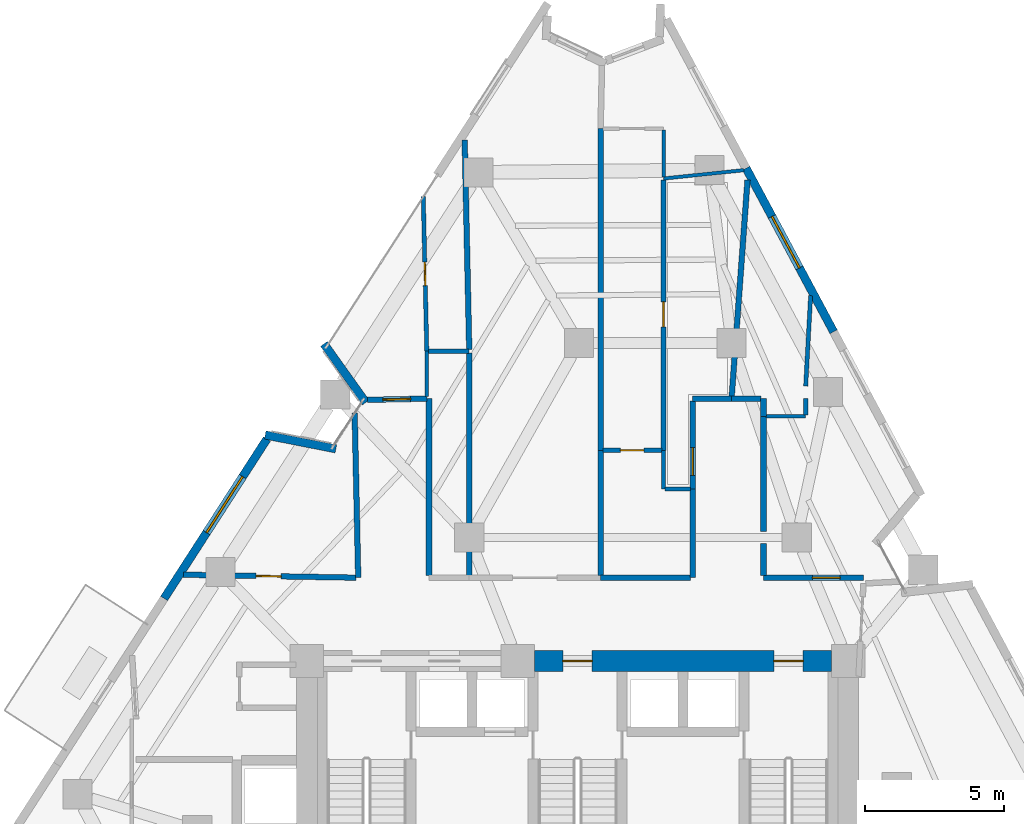
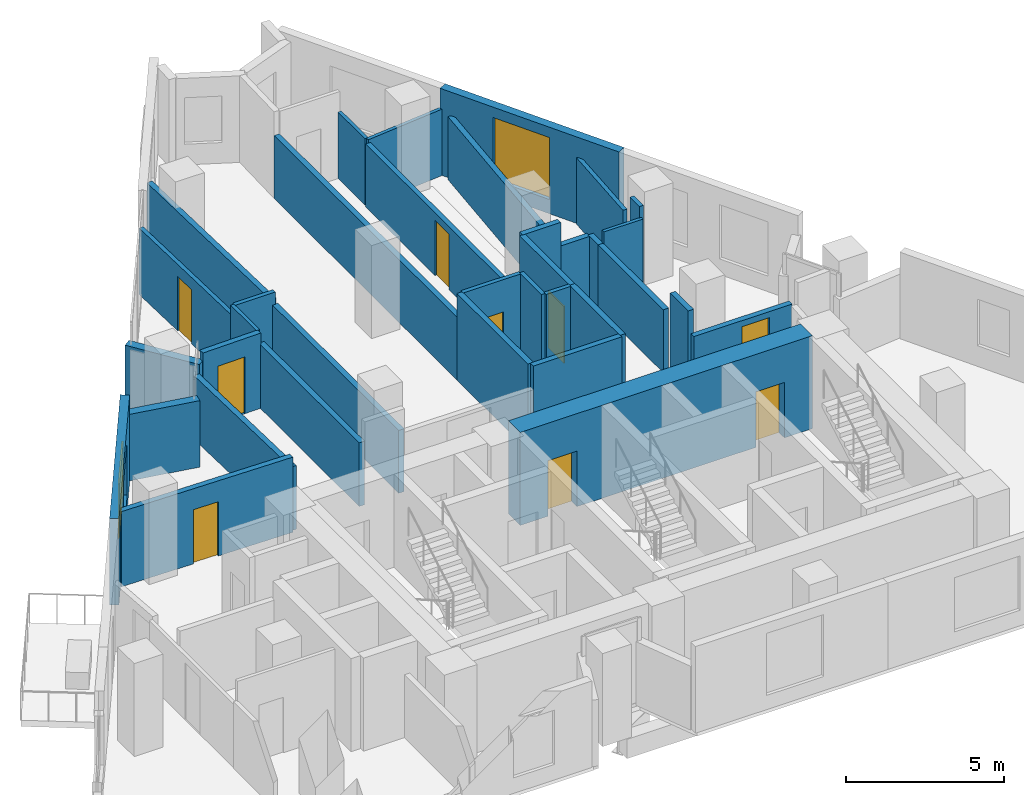
# One storey, part 7 of 11: 35 walls, 9 doors, 2 windows, 11 openings.
"""IFC4 building model written with IfcOpenShell, lengths in metres."""

from ifc_helpers import new_model, si_unit, direction, frame, frame_2d, origin, place, context, subcontext, project, spatial, rectangle, extrude, material, layer, layer_set, type_object, element, fill, save


model = new_model("IFC4")

# Units and contexts
model_context = context("Model", 3, precision=1e-05, world=origin(), true_north=direction((0.0, 1.0)))
body_context = subcontext(model_context, "Body", "Model", "MODEL_VIEW")
ifc_project = project(units=[si_unit("LENGTHUNIT", "METRE"), si_unit("AREAUNIT", "SQUARE_METRE"), si_unit("VOLUMEUNIT", "CUBIC_METRE"), si_unit("PLANEANGLEUNIT", "RADIAN"), si_unit("MASSUNIT", "GRAM", prefix="KILO")], contexts=[model_context])

# Site, building, storey
site_placement = place(None, origin())
site = spatial("IfcSite", under=ifc_project, at=site_placement, CompositionType="ELEMENT")
building_placement = place(site_placement, origin())
building = spatial("IfcBuilding", under=site, at=building_placement, Name="Almagre Mirador Tower", CompositionType="ELEMENT")
storey_placement = place(building_placement, frame((0.0, 0.0, 178.800048828125)))
storey = spatial("IfcBuildingStorey", under=building, at=storey_placement, Name="L46", CompositionType="ELEMENT", Elevation=178.800048828125)

# Walls
ifc_material_1 = material(Name="Precast concrete C50/60", Category="concrete")
ifc_layer_1 = layer(ifc_material_1, 0.300048828125)
ifc_layer_set_1 = layer_set([ifc_layer_1], Name="Precast concrete C50/60")
wall_type_1 = type_object("IfcWallType", Name="WAL-EXT-300", PredefinedType="SOLIDWALL", material=ifc_layer_set_1)
wall_1_placement = place(storey_placement, frame((26.049560546875, 22.89208984375, 0.0), z_axis=(0.0, 0.0, 1.0), x_axis=(0.9812411897, -0.192784147784, 0.0)))
element("IfcWall", 1, at=wall_1_placement, inside=storey, type_object=wall_type_1, Name="L46 expressed almagre precast frame wall 01", PredefinedType="SOLIDWALL", context=body_context, shape_type="SweptSolid", body=[
    extrude(rectangle(XDim=2.593505859375, YDim=0.300048828125, at=frame_2d((1.296875, 0.0))), origin(), (0.0, 0.0, 1.0), 2.574951171875),
])
wall_2_placement = place(storey_placement, frame((29.67138671875, 24.06103515625, 0.0), z_axis=(0.0, 0.0, 1.0), x_axis=(-0.580472212384, 0.814280056645, 0.0)))
element("IfcWall", 2, at=wall_2_placement, inside=storey, type_object=wall_type_1, Name="L46 expressed almagre precast frame wall 02", PredefinedType="SOLIDWALL", context=body_context, shape_type="SweptSolid", body=[
    extrude(rectangle(XDim=2.59375, YDim=0.300048828125, at=frame_2d((1.296875, 0.0))), origin(), (0.0, 0.0, 1.0), 2.574951171875),
])

# Wall, opening, window
wall_3_placement = place(storey_placement, frame((43.3740234375, 32.503173828125, 0.0), z_axis=(0.0, 0.0, 1.0), x_axis=(0.471750001728, -0.881732349338, 0.0)))
wall_3 = element("IfcWall", 3, at=wall_3_placement, inside=storey, type_object=wall_type_1, Name="L46 expressed almagre precast frame wall 09", PredefinedType="SOLIDWALL", context=body_context, shape_type="SweptSolid", body=[
    extrude(rectangle(XDim=6.683837890625, YDim=0.300048828125, at=frame_2d((3.341796875, 0.0))), origin(), (0.0, 0.0, 1.0), 3.349853515625),
])
opening_1_placement = place(wall_3_placement, frame((1.97509765625, 0.0, 0.550048828125)))
opening_1 = element("IfcOpeningElement", 4, at=opening_1_placement, cuts=wall_3, Name="Opening WN-05", PredefinedType="OPENING", context=body_context, shape_type="SweptSolid", body=[
    extrude(rectangle(XDim=2.10009765625, YDim=2.39990234375, at=frame_2d((1.050048828125, 1.199951171875))), frame((0.0, 0.159902, 0.0), z_axis=(0.0, -1.0, 0.0), x_axis=(1.0, 0.0, 0.0)), (0.0, 0.0, 1.0), 0.320049),
])
ifc_material_2 = material(Name="Dark solar-control laminated hurricane glass", Category="glass")
window_type_1 = type_object("IfcWindowType", Name="WIN-2100X2400", PartitioningType="DOUBLE_PANEL_VERTICAL", PredefinedType="WINDOW", material=ifc_material_2)
window_1_placement = place(opening_1_placement, origin())
window_1 = element("IfcWindow", 5, at=window_1_placement, inside=storey, type_object=window_type_1, Name="L46 recessed hurricane window L46-UG-KT", OverallHeight=2.39990234375, OverallWidth=2.10009765625, PartitioningType="SINGLE_PANEL", PredefinedType="WINDOW", context=body_context, shape_type="SweptSolid", body=[
    extrude(rectangle(XDim=2.10009765625, YDim=2.39990234375, at=frame_2d((1.050048828125, 1.199951171875))), frame((0.0, 0.030029296875, 0.0), z_axis=(0.0, -1.0, 0.0), x_axis=(1.0, 0.0, 0.0)), (0.0, 0.0, 1.0), 0.06005859375),
])
fill(opening_1, window_1)

wall_4_placement = place(storey_placement, frame((22.406005859375, 17.0029296875, 0.0), z_axis=(0.0, 0.0, 1.0), x_axis=(0.542010619333, 0.840371637152, 0.0)))
wall_4 = element("IfcWall", 6, at=wall_4_placement, inside=storey, type_object=wall_type_1, Name="L46 expressed almagre precast frame wall 32", PredefinedType="SOLIDWALL", context=body_context, shape_type="SweptSolid", body=[
    extrude(rectangle(XDim=6.8408203125, YDim=0.300048828125, at=frame_2d((3.42041015625, 0.0))), origin(), (0.0, 0.0, 1.0), 3.349853515625),
])
opening_2_placement = place(wall_4_placement, frame((2.824951171875, 0.0, 0.60009765625)))
opening_2 = element("IfcOpeningElement", 7, at=opening_2_placement, cuts=wall_4, Name="Opening WN-02", PredefinedType="OPENING", context=body_context, shape_type="SweptSolid", body=[
    extrude(rectangle(XDim=2.39990234375, YDim=2.10009765625, at=frame_2d((1.199951171875, 1.050048828125))), frame((0.0, 0.159902, 0.0), z_axis=(0.0, -1.0, 0.0), x_axis=(1.0, 0.0, 0.0)), (0.0, 0.0, 1.0), 0.320049),
])
ifc_material_3 = material(Name="Dark solar-control laminated hurricane glass", Category="glass")
window_type_2 = type_object("IfcWindowType", Name="WIN-2400X2100", PartitioningType="TRIPLE_PANEL_VERTICAL", PredefinedType="WINDOW", material=ifc_material_3)
window_2_placement = place(opening_2_placement, origin())
window_2 = element("IfcWindow", 8, at=window_2_placement, inside=storey, type_object=window_type_2, Name="L46 recessed hurricane window L46-RST-D", OverallHeight=2.10009765625, OverallWidth=2.39990234375, PartitioningType="SINGLE_PANEL", PredefinedType="WINDOW", context=body_context, shape_type="SweptSolid", body=[
    extrude(rectangle(XDim=2.39990234375, YDim=2.10009765625, at=frame_2d((1.199951171875, 1.050048828125))), frame((0.0, 0.030029296875, 0.0), z_axis=(0.0, -1.0, 0.0), x_axis=(1.0, 0.0, 0.0)), (0.0, 0.0, 1.0), 0.06005859375),
])
fill(opening_2, window_2)

# Walls
ifc_material_4 = material(Name="Gypsum acoustic stud partition", Category="other")
ifc_layer_2 = layer(ifc_material_4, 0.125)
ifc_layer_set_2 = layer_set([ifc_layer_2], Name="Gypsum acoustic stud partition")
wall_type_2 = type_object("IfcWallType", Name="WAL-PRT-125-UTL", PredefinedType="PARTITIONING", material=ifc_layer_set_2)
wall_5_placement = place(storey_placement, frame((31.8701171875, 25.909912109375, 0.0), z_axis=(0.0, 0.0, 1.0), x_axis=(0.0, -1.0, 0.0)))
element("IfcWall", 9, at=wall_5_placement, inside=storey, type_object=wall_type_2, Name="L46 interior partition 033", PredefinedType="PARTITIONING", context=body_context, shape_type="SweptSolid", body=[
    extrude(rectangle(XDim=1.625, YDim=0.125, at=frame_2d((0.8125, 0.0))), origin(), (0.0, 0.0, 1.0), 2.910888671875),
])
wall_6_placement = place(storey_placement, frame((45.52001953125, 23.56005859375, 0.0), z_axis=(0.0, 0.0, 1.0), x_axis=(-1.0, 0.0, 0.0)))
element("IfcWall", 10, at=wall_6_placement, inside=storey, type_object=wall_type_2, Name="L46 interior partition 041", PredefinedType="PARTITIONING", context=body_context, shape_type="SweptSolid", body=[
    extrude(rectangle(XDim=1.43505859375, YDim=0.125, at=frame_2d((0.717529296875, 0.0))), origin(), (0.0, 0.0, 1.0), 2.910888671875),
])
wall_7_placement = place(storey_placement, frame((43.2890625, 32.430908203125, 0.0), z_axis=(0.0, 0.0, 1.0), x_axis=(-0.994615882484, -0.103630334891, 0.0)))
element("IfcWall", 11, at=wall_7_placement, inside=storey, type_object=wall_type_2, Name="L46 interior partition 047", PredefinedType="PARTITIONING", context=body_context, shape_type="SweptSolid", body=[
    extrude(rectangle(XDim=2.90478515625, YDim=0.125, at=frame_2d((1.452392578125, 0.0))), origin(), (0.0, 0.0, 1.0), 2.570068359375),
])
wall_8_placement = place(storey_placement, frame((40.39990234375, 33.882568359375, 0.0), z_axis=(0.0, 0.0, 1.0), x_axis=(0.0, -1.0, 0.0)))
element("IfcWall", 12, at=wall_8_placement, inside=storey, type_object=wall_type_2, Name="L46 interior partition 051", PredefinedType="PARTITIONING", context=body_context, shape_type="SweptSolid", body=[
    extrude(rectangle(XDim=1.705078125, YDim=0.125, at=frame_2d((0.8525390625, 0.0))), origin(), (0.0, 0.0, 1.0), 2.570068359375),
])

# Wall, opening, door
ifc_material_5 = material(Name="Gypsum acoustic stud partition", Category="other")
ifc_layer_3 = layer(ifc_material_5, 0.14990234375)
ifc_layer_set_3 = layer_set([ifc_layer_3], Name="Gypsum acoustic stud partition")
wall_type_3 = type_object("IfcWallType", Name="WAL-PRT-150-STD", PredefinedType="PARTITIONING", material=ifc_layer_set_3)
wall_9_placement = place(storey_placement, frame((31.8701171875, 25.909912109375, 0.0), z_axis=(0.0, 0.0, 1.0), x_axis=(-0.022650745341, 0.999743438956, 0.0)))
wall_9 = element("IfcWall", 13, at=wall_9_placement, inside=storey, type_object=wall_type_3, Name="L46 interior partition 032", PredefinedType="PARTITIONING", context=body_context, shape_type="SweptSolid", body=[
    extrude(rectangle(XDim=5.572509765625, YDim=0.14990234375, at=frame_2d((2.7861328125, 0.0))), origin(), (0.0, 0.0, 1.0), 2.570068359375),
])
opening_3_placement = place(wall_9_placement, frame((2.361083984375, 0.0, 0.0)))
opening_3 = element("IfcOpeningElement", 14, at=opening_3_placement, cuts=wall_9, Name="Opening UD-04", PredefinedType="OPENING", context=body_context, shape_type="SweptSolid", body=[
    extrude(rectangle(XDim=0.85009765625, YDim=2.10009765625, at=frame_2d((0.425048828125, 1.050048828125))), frame((0.0, 0.084951, 0.0), z_axis=(0.0, -1.0, 0.0), x_axis=(1.0, 0.0, 0.0)), (0.0, 0.0, 1.0), 0.169902),
])
ifc_material_6 = material(Name="Moisture-resistant oak timber", Category="wood")
door_type_1 = type_object("IfcDoorType", Name="DOR-UNR-850X2100", OperationType="NOTDEFINED", PredefinedType="DOOR", material=ifc_material_6)
door_1_placement = place(opening_3_placement, origin())
door_1 = element("IfcDoor", 15, at=door_1_placement, inside=storey, type_object=door_type_1, Name="DR-1471 L46 interior door L46-UE-ST to L46-UE-BT", OperationType="SINGLE_SWING_RIGHT", OverallHeight=2.10009765625, OverallWidth=0.85009765625, PredefinedType="DOOR", context=body_context, shape_type="SweptSolid", body=[
    extrude(rectangle(XDim=0.85009765625, YDim=2.10009765625, at=frame_2d((0.425048828125, 1.050048828125))), frame((0.0, 0.02490234375, 0.0), z_axis=(0.0, -1.0, 0.0), x_axis=(1.0, 0.0, 0.0)), (0.0, 0.0, 1.0), 0.050048828125),
])
fill(opening_3, door_1)

# Walls
wall_10_placement = place(storey_placement, frame((31.929931640625, 25.909912109375, 0.0), z_axis=(0.0, 0.0, 1.0), x_axis=(1.0, 0.0, 0.0)))
element("IfcWall", 16, at=wall_10_placement, inside=storey, type_object=wall_type_3, Name="L46 interior partition 034", PredefinedType="PARTITIONING", context=body_context, shape_type="SweptSolid", body=[
    extrude(rectangle(XDim=1.469970703125, YDim=0.14990234375, at=frame_2d((0.73486328125, 0.0))), origin(), (0.0, 0.0, 1.0), 2.910888671875),
])
wall_11_placement = place(storey_placement, frame((45.52001953125, 24.2099609375, 0.0), z_axis=(0.0, 0.0, 1.0), x_axis=(0.0, -1.0, 0.0)))
element("IfcWall", 17, at=wall_11_placement, inside=storey, type_object=wall_type_3, Name="L46 interior partition 042", PredefinedType="PARTITIONING", context=body_context, shape_type="SweptSolid", body=[
    extrude(rectangle(XDim=0.6025390625, YDim=0.14990234375, at=frame_2d((0.30126953125, 0.0))), origin(), (0.0, 0.0, 1.0), 3.349853515625),
])
wall_12_placement = place(storey_placement, frame((45.697998046875, 27.908935546875, 0.0), z_axis=(0.0, 0.0, 1.0), x_axis=(-0.054529579852, -0.99851215562, 0.0)))
element("IfcWall", 18, at=wall_12_placement, inside=storey, type_object=wall_type_3, Name="L46 interior partition 043", PredefinedType="PARTITIONING", context=body_context, shape_type="SweptSolid", body=[
    extrude(rectangle(XDim=3.263916015625, YDim=0.14990234375, at=frame_2d((1.6318359375, 0.0))), origin(), (0.0, 0.0, 1.0), 2.570068359375),
])
wall_13_placement = place(storey_placement, frame((40.39990234375, 22.340087890625, 0.0), z_axis=(0.0, 0.0, 1.0), x_axis=(0.0, -1.0, 0.0)))
element("IfcWall", 19, at=wall_13_placement, inside=storey, type_object=wall_type_3, Name="L46 interior partition 045", PredefinedType="PARTITIONING", context=body_context, shape_type="SweptSolid", body=[
    extrude(rectangle(XDim=1.39013671875, YDim=0.14990234375, at=frame_2d((0.695068359375, 0.0))), origin(), (0.0, 0.0, 1.0), 3.349853515625),
])
wall_14_placement = place(storey_placement, frame((40.4599609375, 20.949951171875, 0.0), z_axis=(0.0, 0.0, 1.0), x_axis=(1.0, 0.0, 0.0)))
element("IfcWall", 20, at=wall_14_placement, inside=storey, type_object=wall_type_3, Name="L46 interior partition 046", PredefinedType="PARTITIONING", context=body_context, shape_type="SweptSolid", body=[
    extrude(rectangle(XDim=0.905029296875, YDim=0.14990234375, at=frame_2d((0.45263671875, 0.0))), origin(), (0.0, 0.0, 1.0), 3.349853515625),
])

# Wall, opening, door
wall_15_placement = place(storey_placement, frame((40.340087890625, 22.340087890625, 0.0), z_axis=(0.0, 0.0, 1.0), x_axis=(-1.0, 0.0, 0.0)))
wall_15 = element("IfcWall", 21, at=wall_15_placement, inside=storey, type_object=wall_type_3, Name="L46 interior partition 049", PredefinedType="PARTITIONING", context=body_context, shape_type="SweptSolid", body=[
    extrude(rectangle(XDim=2.125, YDim=0.14990234375, at=frame_2d((1.0625, 0.0))), origin(), (0.0, 0.0, 1.0), 3.349853515625),
])
opening_4_placement = place(wall_15_placement, frame((0.64990234375, 0.0, 0.0)))
opening_4 = element("IfcOpeningElement", 22, at=opening_4_placement, cuts=wall_15, Name="Opening UD-04", PredefinedType="OPENING", context=body_context, shape_type="SweptSolid", body=[
    extrude(rectangle(XDim=0.85009765625, YDim=2.10009765625, at=frame_2d((0.425048828125, 1.050048828125))), frame((0.0, 0.084951, 0.0), z_axis=(0.0, -1.0, 0.0), x_axis=(1.0, 0.0, 0.0)), (0.0, 0.0, 1.0), 0.169902),
])
door_2_placement = place(opening_4_placement, origin())
door_2 = element("IfcDoor", 23, at=door_2_placement, inside=storey, type_object=door_type_1, Name="DR-1476 L46 interior door L46-UH-HB to L46-UH-MB", OperationType="SINGLE_SWING_LEFT", OverallHeight=2.10009765625, OverallWidth=0.85009765625, PredefinedType="DOOR", context=body_context, shape_type="SweptSolid", body=[
    extrude(rectangle(XDim=0.85009765625, YDim=2.10009765625, at=frame_2d((0.425048828125, 1.050048828125))), frame((0.0, 0.02490234375, 0.0), z_axis=(0.0, -1.0, 0.0), x_axis=(1.0, 0.0, 0.0)), (0.0, 0.0, 1.0), 0.050048828125),
])
fill(opening_4, door_2)

ifc_material_7 = material(Name="Gypsum acoustic stud partition", Category="other")
ifc_layer_4 = layer(ifc_material_7, 0.175048828125)
ifc_layer_set_4 = layer_set([ifc_layer_4], Name="Gypsum acoustic stud partition")
wall_type_4 = type_object("IfcWallType", Name="WAL-PRT-175-AC", PredefinedType="PARTITIONING", material=ifc_layer_set_4)
wall_16_placement = place(storey_placement, frame((40.39990234375, 32.08251953125, 0.0), z_axis=(0.0, 0.0, 1.0), x_axis=(0.0, -1.0, 0.0)))
wall_16 = element("IfcWall", 24, at=wall_16_placement, inside=storey, type_object=wall_type_4, Name="L46 interior partition 048", PredefinedType="PARTITIONING", context=body_context, shape_type="SweptSolid", body=[
    extrude(rectangle(XDim=9.742431640625, YDim=0.175048828125, at=frame_2d((4.87109375, 0.0))), origin(), (0.0, 0.0, 1.0), 2.43603515625),
])
opening_5_placement = place(wall_16_placement, frame((4.3974609375, 0.0, 0.0)))
opening_5 = element("IfcOpeningElement", 25, at=opening_5_placement, cuts=wall_16, Name="Opening UD-02", PredefinedType="OPENING", context=body_context, shape_type="SweptSolid", body=[
    extrude(rectangle(XDim=0.89990234375, YDim=2.14990234375, at=frame_2d((0.449951171875, 1.074951171875))), frame((0.0, 0.097402, 0.0), z_axis=(0.0, -1.0, 0.0), x_axis=(1.0, 0.0, 0.0)), (0.0, 0.0, 1.0), 0.195049),
])
ifc_material_8 = material(Name="Solid American walnut timber", Category="wood")
door_type_2 = type_object("IfcDoorType", Name="DOR-UNR-900X2150", OperationType="NOTDEFINED", PredefinedType="DOOR", material=ifc_material_8)
door_3_placement = place(opening_5_placement, origin())
door_3 = element("IfcDoor", 26, at=door_3_placement, inside=storey, type_object=door_type_2, Name="DR-1475 L46 interior door L46-UH-LV to L46-UH-MB", OperationType="SINGLE_SWING_RIGHT", OverallHeight=2.14990234375, OverallWidth=0.89990234375, PredefinedType="DOOR", context=body_context, shape_type="SweptSolid", body=[
    extrude(rectangle(XDim=0.89990234375, YDim=2.14990234375, at=frame_2d((0.449951171875, 1.074951171875))), frame((0.0, 0.02490234375, 0.0), z_axis=(0.0, -1.0, 0.0), x_axis=(1.0, 0.0, 0.0)), (0.0, 0.0, 1.0), 0.050048828125),
])
fill(opening_5, door_3)

# Wall
ifc_material_9 = material(Name="Gypsum acoustic stud partition", Category="other")
ifc_layer_5 = layer(ifc_material_9, 0.199951171875)
ifc_layer_set_5 = layer_set([ifc_layer_5], Name="Gypsum acoustic stud partition")
wall_type_5 = type_object("IfcWallType", Name="WAL-PRT-200-EI60", PredefinedType="PARTITIONING", material=ifc_layer_set_5)
wall_17_placement = place(storey_placement, frame((29.27197265625, 23.681884765625, 0.0), z_axis=(0.0, 0.0, 1.0), x_axis=(0.021561434878, -0.999767525241, 0.0)))
element("IfcWall", 27, at=wall_17_placement, inside=storey, type_object=wall_type_5, Name="L46 interior partition 005", PredefinedType="PARTITIONING", context=body_context, shape_type="SweptSolid", body=[
    extrude(rectangle(XDim=5.933349609375, YDim=0.199951171875, at=frame_2d((2.966796875, 0.0))), origin(), (0.0, 0.0, 1.0), 2.4638671875),
])

# Wall, opening, door
wall_18_placement = place(storey_placement, frame((29.31494140625, 17.751220703125, 0.0), z_axis=(0.0, 0.0, 1.0), x_axis=(-0.999852785832, 0.017158282639, 0.0)))
wall_18 = element("IfcWall", 28, at=wall_18_placement, inside=storey, type_object=wall_type_5, Name="L46 interior partition 006", PredefinedType="PARTITIONING", context=body_context, shape_type="SweptSolid", body=[
    extrude(rectangle(XDim=6.218017578125, YDim=0.199951171875, at=frame_2d((3.10888671875, 0.0))), origin(), (0.0, 0.0, 1.0), 2.910888671875),
])
opening_6_placement = place(wall_18_placement, frame((2.69482421875, 0.0, 0.0)))
opening_6 = element("IfcOpeningElement", 29, at=opening_6_placement, cuts=wall_18, Name="Opening ID-03", PredefinedType="OPENING", context=body_context, shape_type="SweptSolid", body=[
    extrude(rectangle(XDim=0.89990234375, YDim=2.10009765625, at=frame_2d((0.449951171875, 1.050048828125))), frame((0.0, 0.110098, 0.0), z_axis=(0.0, -1.0, 0.0), x_axis=(1.0, 0.0, 0.0)), (0.0, 0.0, 1.0), 0.219951),
])
ifc_material_10 = material(Name="Fire-rated hollow steel", Category="steel")
door_type_3 = type_object("IfcDoorType", Name="DOR-FD60-900X2100", OperationType="NOTDEFINED", PredefinedType="DOOR", material=ifc_material_10)
door_4_placement = place(opening_6_placement, origin())
door_4 = element("IfcDoor", 30, at=door_4_placement, inside=storey, type_object=door_type_3, Name="DR-1464 L46 interior door L46-RCOR to L46-RST-D", OperationType="SINGLE_SWING_RIGHT", OverallHeight=2.10009765625, OverallWidth=0.89990234375, PredefinedType="DOOR", context=body_context, shape_type="SweptSolid", body=[
    extrude(rectangle(XDim=0.89990234375, YDim=2.10009765625, at=frame_2d((0.449951171875, 1.050048828125))), frame((0.0, 0.02490234375, 0.0), z_axis=(0.0, -1.0, 0.0), x_axis=(1.0, 0.0, 0.0)), (0.0, 0.0, 1.0), 0.050048828125),
])
fill(opening_6, door_4)

wall_19_placement = place(storey_placement, frame((31.8701171875, 24.199951171875, 0.0), z_axis=(0.0, 0.0, 1.0), x_axis=(-0.999799056821, -0.020046096377, 0.0)))
wall_19 = element("IfcWall", 31, at=wall_19_placement, inside=storey, type_object=wall_type_5, Name="L46 interior partition 007", PredefinedType="PARTITIONING", context=body_context, shape_type="SweptSolid", body=[
    extrude(rectangle(XDim=2.1435546875, YDim=0.199951171875, at=frame_2d((1.07177734375, 0.0))), origin(), (0.0, 0.0, 1.0), 2.910888671875),
])
opening_7_placement = place(wall_19_placement, frame((0.58447265625, 0.0, 0.0)))
opening_7 = element("IfcOpeningElement", 32, at=opening_7_placement, cuts=wall_19, Name="Opening ID-01", PredefinedType="OPENING", context=body_context, shape_type="SweptSolid", body=[
    extrude(rectangle(XDim=1.0, YDim=2.199951171875, at=frame_2d((0.5, 1.10009765625))), frame((0.0, 0.110098, 0.0), z_axis=(0.0, -1.0, 0.0), x_axis=(1.0, 0.0, 0.0)), (0.0, 0.0, 1.0), 0.219951),
])
ifc_material_11 = material(Name="Fire-rated walnut timber", Category="wood")
door_type_4 = type_object("IfcDoorType", Name="DOR-FD60-1000X2200", OperationType="NOTDEFINED", PredefinedType="DOOR", material=ifc_material_11)
door_5_placement = place(opening_7_placement, origin())
door_5 = element("IfcDoor", 33, at=door_5_placement, inside=storey, type_object=door_type_4, Name="DR-1470 L46 interior door L46-RCOR to L46-UE-ST", OperationType="SINGLE_SWING_RIGHT", OverallHeight=2.199951171875, OverallWidth=1.0, PredefinedType="DOOR", context=body_context, shape_type="SweptSolid", body=[
    extrude(rectangle(XDim=1.0, YDim=2.199951171875, at=frame_2d((0.5, 1.10009765625))), frame((0.0, 0.02490234375, 0.0), z_axis=(0.0, -1.0, 0.0), x_axis=(1.0, 0.0, 0.0)), (0.0, 0.0, 1.0), 0.050048828125),
])
fill(opening_7, door_5)

# Wall
wall_20_placement = place(storey_placement, frame((31.949951171875, 17.8349609375, 0.0), z_axis=(0.0, 0.0, 1.0), x_axis=(0.0, 1.0, 0.0)))
element("IfcWall", 34, at=wall_20_placement, inside=storey, type_object=wall_type_5, Name="L46 interior partition 009", PredefinedType="PARTITIONING", context=body_context, shape_type="SweptSolid", body=[
    extrude(rectangle(XDim=6.364990234375, YDim=0.199951171875, at=frame_2d((3.1826171875, 0.0))), origin(), (0.0, 0.0, 1.0), 2.4638671875),
])

# Wall, opening, door
wall_21_placement = place(storey_placement, frame((47.60009765625, 17.75, 0.0), z_axis=(0.0, 0.0, 1.0), x_axis=(-1.0, 0.0, 0.0)))
wall_21 = element("IfcWall", 35, at=wall_21_placement, inside=storey, type_object=wall_type_5, Name="L46 interior partition 011", PredefinedType="PARTITIONING", context=body_context, shape_type="SweptSolid", body=[
    extrude(rectangle(XDim=3.60009765625, YDim=0.199951171875, at=frame_2d((1.800048828125, 0.0))), origin(), (0.0, 0.0, 1.0), 2.43603515625),
])
opening_8_placement = place(wall_21_placement, frame((0.8359375, 0.0, 0.0)))
opening_8 = element("IfcOpeningElement", 36, at=opening_8_placement, cuts=wall_21, Name="Opening ID-01", PredefinedType="OPENING", context=body_context, shape_type="SweptSolid", body=[
    extrude(rectangle(XDim=1.0, YDim=2.199951171875, at=frame_2d((0.5, 1.10009765625))), frame((0.0, 0.110098, 0.0), z_axis=(0.0, -1.0, 0.0), x_axis=(1.0, 0.0, 0.0)), (0.0, 0.0, 1.0), 0.219951),
])
door_6_placement = place(opening_8_placement, origin())
door_6 = element("IfcDoor", 37, at=door_6_placement, inside=storey, type_object=door_type_4, Name="DR-1472 L46 interior door L46-RCOR to L46-UG-ST", OperationType="SINGLE_SWING_LEFT", OverallHeight=2.199951171875, OverallWidth=1.0, PredefinedType="DOOR", context=body_context, shape_type="SweptSolid", body=[
    extrude(rectangle(XDim=1.0, YDim=2.199951171875, at=frame_2d((0.5, 1.10009765625))), frame((0.0, 0.02490234375, 0.0), z_axis=(0.0, -1.0, 0.0), x_axis=(1.0, 0.0, 0.0)), (0.0, 0.0, 1.0), 0.050048828125),
])
fill(opening_8, door_6)

# Walls
wall_22_placement = place(storey_placement, frame((44.0, 17.8349609375, 0.0), z_axis=(0.0, 0.0, 1.0), x_axis=(0.0, 1.0, 0.0)))
element("IfcWall", 38, at=wall_22_placement, inside=storey, type_object=wall_type_5, Name="L46 interior partition 012", PredefinedType="PARTITIONING", context=body_context, shape_type="SweptSolid", body=[
    extrude(rectangle(XDim=1.14501953125, YDim=0.199951171875, at=frame_2d((0.572509765625, 0.0))), origin(), (0.0, 0.0, 1.0), 3.349853515625),
])
wall_23_placement = place(storey_placement, frame((44.0, 19.419921875, 0.0), z_axis=(0.0, 0.0, 1.0), x_axis=(0.0, 1.0, 0.0)))
element("IfcWall", 39, at=wall_23_placement, inside=storey, type_object=wall_type_5, Name="L46 interior partition 013", PredefinedType="PARTITIONING", context=body_context, shape_type="SweptSolid", body=[
    extrude(rectangle(XDim=4.14013671875, YDim=0.199951171875, at=frame_2d((2.070068359375, 0.0))), origin(), (0.0, 0.0, 1.0), 2.43603515625),
])
wall_24_placement = place(storey_placement, frame((44.0, 23.56005859375, 0.0), z_axis=(0.0, 0.0, 1.0), x_axis=(0.0, 1.0, 0.0)))
element("IfcWall", 40, at=wall_24_placement, inside=storey, type_object=wall_type_5, Name="L46 interior partition 014", PredefinedType="PARTITIONING", context=body_context, shape_type="SweptSolid", body=[
    extrude(rectangle(XDim=0.639892578125, YDim=0.199951171875, at=frame_2d((0.31982421875, 0.0))), origin(), (0.0, 0.0, 1.0), 2.43603515625),
])
wall_25_placement = place(storey_placement, frame((43.9150390625, 24.199951171875, 0.0), z_axis=(0.0, 0.0, 1.0), x_axis=(-1.0, 0.0, 0.0)))
element("IfcWall", 41, at=wall_25_placement, inside=storey, type_object=wall_type_5, Name="L46 interior partition 015", PredefinedType="PARTITIONING", context=body_context, shape_type="SweptSolid", body=[
    extrude(rectangle(XDim=1.06494140625, YDim=0.199951171875, at=frame_2d((0.532470703125, 0.0))), origin(), (0.0, 0.0, 1.0), 2.43603515625),
])
wall_26_placement = place(storey_placement, frame((42.85009765625, 24.199951171875, 0.0), z_axis=(0.0, 0.0, 1.0), x_axis=(-1.0, 0.0, 0.0)))
element("IfcWall", 42, at=wall_26_placement, inside=storey, type_object=wall_type_5, Name="L46 interior partition 016", PredefinedType="PARTITIONING", context=body_context, shape_type="SweptSolid", body=[
    extrude(rectangle(XDim=1.400146484375, YDim=0.199951171875, at=frame_2d((0.7001953125, 0.0))), origin(), (0.0, 0.0, 1.0), 3.349853515625),
])

# Wall, opening, door
wall_27_placement = place(storey_placement, frame((41.449951171875, 24.114990234375, 0.0), z_axis=(0.0, 0.0, 1.0), x_axis=(0.0, -1.0, 0.0)))
wall_27 = element("IfcWall", 43, at=wall_27_placement, inside=storey, type_object=wall_type_5, Name="L46 interior partition 017", PredefinedType="PARTITIONING", context=body_context, shape_type="SweptSolid", body=[
    extrude(rectangle(XDim=3.1650390625, YDim=0.199951171875, at=frame_2d((1.58251953125, 0.0))), origin(), (0.0, 0.0, 1.0), 3.349853515625),
])
opening_9_placement = place(wall_27_placement, frame((1.677490234375, 0.0, 0.0)))
opening_9 = element("IfcOpeningElement", 44, at=opening_9_placement, cuts=wall_27, Name="Opening ID-01", PredefinedType="OPENING", context=body_context, shape_type="SweptSolid", body=[
    extrude(rectangle(XDim=1.0, YDim=2.199951171875, at=frame_2d((0.5, 1.10009765625))), frame((0.0, 0.110098, 0.0), z_axis=(0.0, -1.0, 0.0), x_axis=(1.0, 0.0, 0.0)), (0.0, 0.0, 1.0), 0.219951),
])
door_7_placement = place(opening_9_placement, origin())
door_7 = element("IfcDoor", 45, at=door_7_placement, inside=storey, type_object=door_type_4, Name="DR-1473 L46 interior door L46-RCOR to L46-UH-LV", OperationType="SINGLE_SWING_LEFT", OverallHeight=2.199951171875, OverallWidth=1.0, PredefinedType="DOOR", context=body_context, shape_type="SweptSolid", body=[
    extrude(rectangle(XDim=1.0, YDim=2.199951171875, at=frame_2d((0.5, 1.10009765625))), frame((0.0, 0.02490234375, 0.0), z_axis=(0.0, -1.0, 0.0), x_axis=(1.0, 0.0, 0.0)), (0.0, 0.0, 1.0), 0.050048828125),
])
fill(opening_9, door_7)

# Walls
wall_28_placement = place(storey_placement, frame((41.449951171875, 20.949951171875, 0.0), z_axis=(0.0, 0.0, 1.0), x_axis=(0.0, -1.0, 0.0)))
element("IfcWall", 46, at=wall_28_placement, inside=storey, type_object=wall_type_5, Name="L46 interior partition 018", PredefinedType="PARTITIONING", context=body_context, shape_type="SweptSolid", body=[
    extrude(rectangle(XDim=3.199951171875, YDim=0.199951171875, at=frame_2d((1.60009765625, 0.0))), origin(), (0.0, 0.0, 1.0), 3.349853515625),
])
wall_29_placement = place(storey_placement, frame((41.364990234375, 17.75, 0.0), z_axis=(0.0, 0.0, 1.0), x_axis=(-1.0, 0.0, 0.0)))
element("IfcWall", 47, at=wall_29_placement, inside=storey, type_object=wall_type_5, Name="L46 interior partition 019", PredefinedType="PARTITIONING", context=body_context, shape_type="SweptSolid", body=[
    extrude(rectangle(XDim=3.235107421875, YDim=0.199951171875, at=frame_2d((1.61767578125, 0.0))), origin(), (0.0, 0.0, 1.0), 3.349853515625),
])
wall_30_placement = place(storey_placement, frame((33.39892578125, 25.969970703125, 0.0), z_axis=(0.0, 0.0, 1.0), x_axis=(-0.021678536444, 0.999764992915, 0.0)))
element("IfcWall", 48, at=wall_30_placement, inside=storey, type_object=wall_type_5, Name="L46 interior partition 035", PredefinedType="PARTITIONING", context=body_context, shape_type="SweptSolid", body=[
    extrude(rectangle(XDim=7.556640625, YDim=0.199951171875, at=frame_2d((3.7783203125, 0.0))), origin(), (0.0, 0.0, 1.0), 2.570068359375),
])
wall_31_placement = place(storey_placement, frame((33.39990234375, 17.8349609375, 0.0), z_axis=(0.0, 0.0, 1.0), x_axis=(0.0, 1.0, 0.0)))
element("IfcWall", 49, at=wall_31_placement, inside=storey, type_object=wall_type_5, Name="L46 interior partition 036", PredefinedType="PARTITIONING", context=body_context, shape_type="SweptSolid", body=[
    extrude(rectangle(XDim=8.01513671875, YDim=0.199951171875, at=frame_2d((4.007568359375, 0.0))), origin(), (0.0, 0.0, 1.0), 2.43603515625),
])
wall_32_placement = place(storey_placement, frame((38.1298828125, 17.8349609375, 0.0), z_axis=(0.0, 0.0, 1.0), x_axis=(0.0, 1.0, 0.0)))
element("IfcWall", 50, at=wall_32_placement, inside=storey, type_object=wall_type_5, Name="L46 interior partition 037", PredefinedType="PARTITIONING", context=body_context, shape_type="SweptSolid", body=[
    extrude(rectangle(XDim=4.505126953125, YDim=0.199951171875, at=frame_2d((2.25244140625, 0.0))), origin(), (0.0, 0.0, 1.0), 3.349853515625),
])
wall_33_placement = place(storey_placement, frame((38.1298828125, 22.340087890625, 0.0), z_axis=(0.0, 0.0, 1.0), x_axis=(0.0, 1.0, 0.0)))
element("IfcWall", 51, at=wall_33_placement, inside=storey, type_object=wall_type_5, Name="L46 interior partition 039", PredefinedType="PARTITIONING", context=body_context, shape_type="SweptSolid", body=[
    extrude(rectangle(XDim=11.58984375, YDim=0.199951171875, at=frame_2d((5.794921875, 0.0))), origin(), (0.0, 0.0, 1.0), 2.43603515625),
])
wall_34_placement = place(storey_placement, frame((43.425048828125, 32.076904296875, 0.0), z_axis=(0.0, 0.0, 1.0), x_axis=(-0.0728725349, -0.997341262386, 0.0)))
element("IfcWall", 52, at=wall_34_placement, inside=storey, type_object=wall_type_5, Name="L46 interior partition 044", PredefinedType="PARTITIONING", context=body_context, shape_type="SweptSolid", body=[
    extrude(rectangle(XDim=7.812744140625, YDim=0.199951171875, at=frame_2d((3.90625, 0.0))), origin(), (0.0, 0.0, 1.0), 2.43603515625),
])

# Wall, openings, doors
ifc_material_12 = material(Name="Concrete C60/75", Category="concrete")
ifc_layer_6 = layer(ifc_material_12, 0.75)
ifc_layer_set_6 = layer_set([ifc_layer_6], Name="Concrete C60/75")
wall_type_6 = type_object("IfcWallType", Name="WAL-SHR-750", PredefinedType="SHEAR", material=ifc_layer_set_6)
wall_35_placement = place(storey_placement, frame((35.75, 14.75, 0.0), z_axis=(0.0, 0.0, 1.0), x_axis=(1.0, 0.0, 0.0)))
wall_35 = element("IfcWall", 53, at=wall_35_placement, inside=storey, type_object=wall_type_6, Name="L46 core shear wall N2", PredefinedType="SHEAR", context=body_context, shape_type="SweptSolid", body=[
    extrude(rectangle(XDim=10.699951171875, YDim=0.75, at=frame_2d((5.35009765625, 0.0))), origin(), (0.0, 0.0, 1.0), 3.599853515625),
])
opening_10_placement = place(wall_35_placement, frame((1.02490234375, 0.0, 0.0)))
opening_10 = element("IfcOpeningElement", 54, at=opening_10_placement, cuts=wall_35, Name="Opening SD-01", PredefinedType="OPENING", context=body_context, shape_type="SweptSolid", body=[
    extrude(rectangle(XDim=1.050048828125, YDim=2.14990234375, at=frame_2d((0.52490234375, 1.074951171875))), frame((0.0, 0.385, 0.0), z_axis=(0.0, -1.0, 0.0), x_axis=(1.0, 0.0, 0.0)), (0.0, 0.0, 1.0), 0.77),
])
opening_11_placement = place(wall_35_placement, frame((8.625, 0.0, 0.0)))
opening_11 = element("IfcOpeningElement", 55, at=opening_11_placement, cuts=wall_35, Name="Opening SD-01", PredefinedType="OPENING", context=body_context, shape_type="SweptSolid", body=[
    extrude(rectangle(XDim=1.050048828125, YDim=2.14990234375, at=frame_2d((0.52490234375, 1.074951171875))), frame((0.0, 0.385, 0.0), z_axis=(0.0, -1.0, 0.0), x_axis=(1.0, 0.0, 0.0)), (0.0, 0.0, 1.0), 0.77),
])
ifc_material_13 = material(Name="Fire-rated hollow steel", Category="steel")
door_type_5 = type_object("IfcDoorType", Name="DOR-ST-1050X2150", OperationType="NOTDEFINED", PredefinedType="DOOR", material=ifc_material_13)
door_8_placement = place(opening_10_placement, origin())
door_8 = element("IfcDoor", 56, at=door_8_placement, inside=storey, type_object=door_type_5, Name="DR-1482 L46 protected exit stair ST-2 door", OperationType="SINGLE_SWING_RIGHT", OverallHeight=2.14990234375, OverallWidth=1.050048828125, PredefinedType="DOOR", context=body_context, shape_type="SweptSolid", body=[
    extrude(rectangle(XDim=1.050048828125, YDim=2.14990234375, at=frame_2d((0.52490234375, 1.074951171875))), frame((0.0, 0.02490234375, 0.0), z_axis=(0.0, -1.0, 0.0), x_axis=(1.0, 0.0, 0.0)), (0.0, 0.0, 1.0), 0.050048828125),
])
fill(opening_10, door_8)
door_9_placement = place(opening_11_placement, origin())
door_9 = element("IfcDoor", 57, at=door_9_placement, inside=storey, type_object=door_type_5, Name="DR-1483 L46 protected exit stair ST-3 door", OperationType="SINGLE_SWING_LEFT", OverallHeight=2.14990234375, OverallWidth=1.050048828125, PredefinedType="DOOR", context=body_context, shape_type="SweptSolid", body=[
    extrude(rectangle(XDim=1.050048828125, YDim=2.14990234375, at=frame_2d((0.52490234375, 1.074951171875))), frame((0.0, 0.02490234375, 0.0), z_axis=(0.0, -1.0, 0.0), x_axis=(1.0, 0.0, 0.0)), (0.0, 0.0, 1.0), 0.050048828125),
])
fill(opening_11, door_9)

save(model, "model.ifc")
